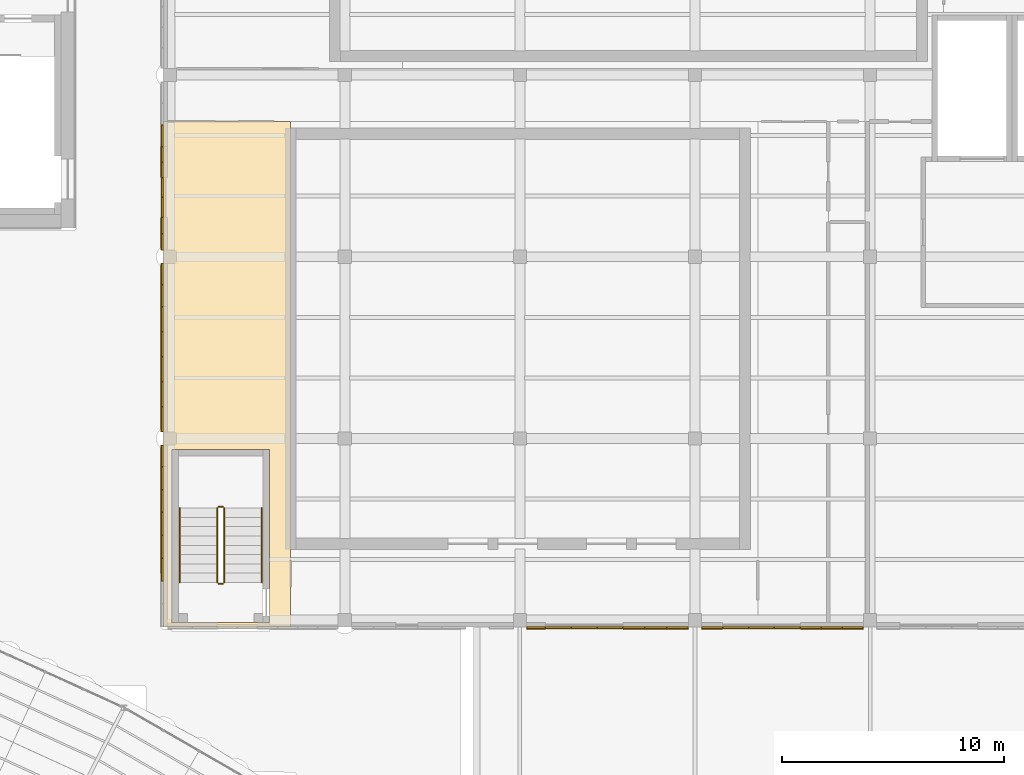
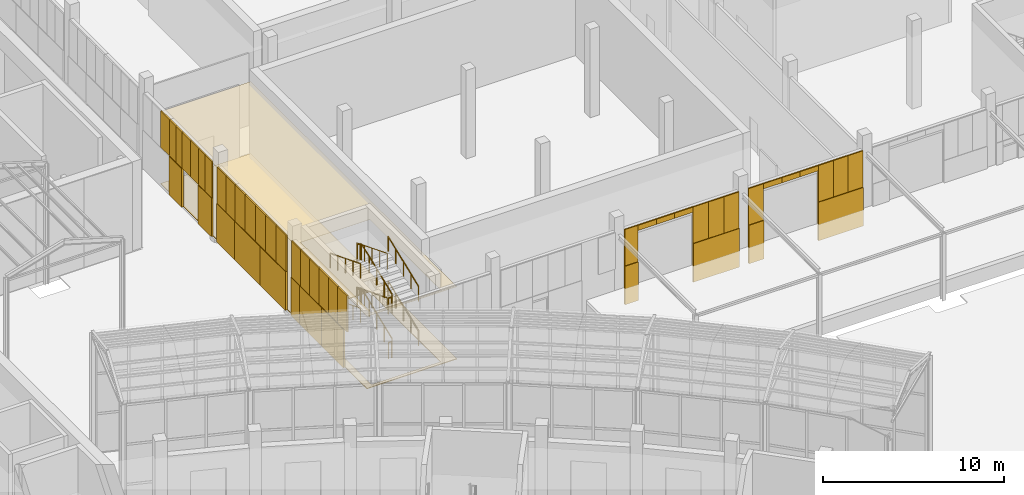
# One storey, part 147 of 155: 48 coverings, 12 railings.
"""IFC4 building model written with IfcOpenShell, lengths in metres."""

from ifc_helpers import new_model, si_unit, direction, frame, origin, origin_2d, place, context, subcontext, project, spatial, polyline, rectangle, circle, outline, extrude, material, layer, layer_set, type_object, element, save


model = new_model("IFC4")

# Units and contexts
model_context = context("Model", 3, precision=1e-05, world=origin(), true_north=direction((0.0, 1.0)))
body_context = subcontext(model_context, "Body", "Model", "MODEL_VIEW")
ifc_project = project(units=[si_unit("LENGTHUNIT", "METRE"), si_unit("AREAUNIT", "SQUARE_METRE"), si_unit("VOLUMEUNIT", "CUBIC_METRE"), si_unit("PLANEANGLEUNIT", "RADIAN"), si_unit("MASSUNIT", "GRAM", prefix="KILO")], contexts=[model_context])

# Site, building, storey
site_placement = place(None, origin())
site = spatial("IfcSite", under=ifc_project, at=site_placement, CompositionType="ELEMENT")
building_placement = place(site_placement, origin())
building = spatial("IfcBuilding", under=site, at=building_placement, Name="Lunette Opera House", CompositionType="ELEMENT")
storey_placement = place(building_placement, origin())
storey = spatial("IfcBuildingStorey", under=building, at=storey_placement, Name="L00", CompositionType="ELEMENT", Elevation=0.0)

# Coverings
ifc_material_1 = material(Name="Clinker brick", Category="masonry")
ifc_layer_1 = layer(ifc_material_1, 0.114990234375)
ifc_layer_set_1 = layer_set([ifc_layer_1], Name="Clinker brick")
covering_type_1 = type_object("IfcCoveringType", Name="CLINKER CLADDING 115", PredefinedType="CLADDING", material=ifc_layer_set_1)
covering_1_placement = place(storey_placement, frame((135.94189453125, 98.97509765625, 0.0), z_axis=(0.0, 0.0, 1.0), x_axis=(0.0, -1.0, 0.0)))
element("IfcCovering", 1, at=covering_1_placement, inside=storey, type_object=covering_type_1, Name="Clinker Cladding 115 WB L00", PredefinedType="CLADDING", context=body_context, shape_type="SweptSolid", body=[
    extrude(rectangle(XDim=1.39990234375, YDim=0.114990234375, at=origin_2d()), origin(), (0.0, 0.0, 1.0), 2.60009765625),
])
covering_2_placement = place(storey_placement, frame((135.94189453125, 95.737060546875, 0.0), z_axis=(0.0, 0.0, 1.0), x_axis=(0.0, -1.0, 0.0)))
element("IfcCovering", 2, at=covering_2_placement, inside=storey, type_object=covering_type_1, Name="Clinker Cladding 115 WB L00", PredefinedType="CLADDING", context=body_context, shape_type="SweptSolid", body=[
    extrude(rectangle(XDim=1.47509765625, YDim=0.114990234375, at=origin_2d()), origin(), (0.0, 0.0, 1.0), 2.60009765625),
])
covering_3_placement = place(storey_placement, frame((135.94189453125, 93.425048828125, 0.0), z_axis=(0.0, 0.0, 1.0), x_axis=(0.0, -1.0, 0.0)))
element("IfcCovering", 3, at=covering_3_placement, inside=storey, type_object=covering_type_1, Name="Clinker Cladding 115 WB L00", PredefinedType="CLADDING", context=body_context, shape_type="SweptSolid", body=[
    extrude(rectangle(XDim=1.949951171875, YDim=0.114990234375, at=origin_2d()), origin(), (0.0, 0.0, 1.0), 2.60009765625),
])
for number, where, z_axis, x_axis, name in (
    (4, (135.94189453125, 91.037109375, 0.0), (0.0, 0.0, 1.0), (0.0, -1.0, 0.0), "Clinker Cladding 115 WB L00"),
    (5, (135.94189453125, 88.212890625, 0.0), (0.0, 0.0, 1.0), (0.0, -1.0, 0.0), "Clinker Cladding 115 WB L00"),
):
    element("IfcCovering", number, at=place(storey_placement, frame(where, z_axis=z_axis, x_axis=x_axis)), inside=storey, type_object=covering_type_1, Name=name, PredefinedType="CLADDING", context=body_context, shape_type="SweptSolid", body=[
        extrude(rectangle(XDim=2.824951171875, YDim=0.114990234375, at=origin_2d()), origin(), (0.0, 0.0, 1.0), 2.60009765625),
    ])
covering_4_placement = place(storey_placement, frame((135.94189453125, 85.712890625, 0.0), z_axis=(0.0, 0.0, 1.0), x_axis=(0.0, -1.0, 0.0)))
element("IfcCovering", 6, at=covering_4_placement, inside=storey, type_object=covering_type_1, Name="Clinker Cladding 115 WB L00", PredefinedType="CLADDING", context=body_context, shape_type="SweptSolid", body=[
    extrude(rectangle(XDim=0.97509765625, YDim=0.114990234375, at=origin_2d()), origin(), (0.0, 0.0, 1.0), 2.60009765625),
])
for number, where, z_axis, x_axis, name in (
    (7, (135.94189453125, 84.02099609375, 0.0), (0.0, 0.0, 1.0), (0.0, -1.0, 0.0), "Clinker Cladding 115 WB L00"),
    (8, (135.94189453125, 81.612060546875, 0.0), (0.0, 0.0, 1.0), (0.0, -1.0, 0.0), "Clinker Cladding 115 WB L00"),
):
    element("IfcCovering", number, at=place(storey_placement, frame(where, z_axis=z_axis, x_axis=x_axis)), inside=storey, type_object=covering_type_1, Name=name, PredefinedType="CLADDING", context=body_context, shape_type="SweptSolid", body=[
        extrude(rectangle(XDim=2.407958984375, YDim=0.114990234375, at=origin_2d()), origin(), (0.0, 0.0, 1.0), 2.60009765625),
    ])
covering_5_placement = place(storey_placement, frame((152.824951171875, 77.94189453125, 0.0), z_axis=(0.0, 0.0, 1.0), x_axis=(1.0, 0.0, 0.0)))
element("IfcCovering", 9, at=covering_5_placement, inside=storey, type_object=covering_type_1, Name="Clinker Cladding 115 WB L00", PredefinedType="CLADDING", context=body_context, shape_type="SweptSolid", body=[
    extrude(rectangle(XDim=0.85009765625, YDim=0.114990234375, at=origin_2d()), origin(), (0.0, 0.0, 1.0), 2.60009765625),
])
covering_6_placement = place(storey_placement, frame((158.22509765625, 77.94189453125, 0.0), z_axis=(0.0, 0.0, 1.0), x_axis=(1.0, 0.0, 0.0)))
element("IfcCovering", 10, at=covering_6_placement, inside=storey, type_object=covering_type_1, Name="Clinker Cladding 115 WB L00", PredefinedType="CLADDING", context=body_context, shape_type="SweptSolid", body=[
    extrude(rectangle(XDim=2.949951171875, YDim=0.114990234375, at=origin_2d()), origin(), (0.0, 0.0, 1.0), 2.60009765625),
])
covering_7_placement = place(storey_placement, frame((160.77490234375, 77.94189453125, 0.0), z_axis=(0.0, 0.0, 1.0), x_axis=(1.0, 0.0, 0.0)))
element("IfcCovering", 11, at=covering_7_placement, inside=storey, type_object=covering_type_1, Name="Clinker Cladding 115 WB L00", PredefinedType="CLADDING", context=body_context, shape_type="SweptSolid", body=[
    extrude(rectangle(XDim=0.949951171875, YDim=0.114990234375, at=origin_2d()), origin(), (0.0, 0.0, 1.0), 2.60009765625),
])
covering_8_placement = place(storey_placement, frame((166.175048828125, 77.94189453125, 0.0), z_axis=(0.0, 0.0, 1.0), x_axis=(1.0, 0.0, 0.0)))
element("IfcCovering", 12, at=covering_8_placement, inside=storey, type_object=covering_type_1, Name="Clinker Cladding 115 WB L00", PredefinedType="CLADDING", context=body_context, shape_type="SweptSolid", body=[
    extrude(rectangle(XDim=2.85009765625, YDim=0.114990234375, at=origin_2d()), origin(), (0.0, 0.0, 1.0), 2.60009765625),
])
ifc_material_2 = material(Name="Dark grey aluminium cassette", Category="aluminium")
ifc_layer_2 = layer(ifc_material_2, 0.080078125)
ifc_layer_set_2 = layer_set([ifc_layer_2], Name="Dark grey aluminium cassette")
covering_type_2 = type_object("IfcCoveringType", Name="DARK METAL CASSETTE 80", PredefinedType="CLADDING", material=ifc_layer_set_2)
covering_9_placement = place(storey_placement, frame((135.9599609375, 100.162109375, 2.60009765625), z_axis=(0.0, 0.0, 1.0), x_axis=(0.0, -1.0, 0.0)))
element("IfcCovering", 13, at=covering_9_placement, inside=storey, type_object=covering_type_2, Name="Dark Metal Cassette 80 WK L00", PredefinedType="CLADDING", context=body_context, shape_type="SweptSolid", body=[
    extrude(rectangle(XDim=0.97509765625, YDim=0.080078125, at=origin_2d()), origin(), (0.0, 0.0, 1.0), 2.449951171875),
])
for number, where, z_axis, x_axis, name in (
    (14, (135.9599609375, 99.324951171875, 2.60009765625), (0.0, 0.0, 1.0), (0.0, -1.0, 0.0), "Dark Metal Cassette 80 WK L00"),
    (15, (135.9599609375, 98.625, 2.60009765625), (0.0, 0.0, 1.0), (0.0, -1.0, 0.0), "Dark Metal Cassette 80 WK L00"),
):
    element("IfcCovering", number, at=place(storey_placement, frame(where, z_axis=z_axis, x_axis=x_axis)), inside=storey, type_object=covering_type_2, Name=name, PredefinedType="CLADDING", context=body_context, shape_type="SweptSolid", body=[
        extrude(rectangle(XDim=0.699951171875, YDim=0.080078125, at=origin_2d()), origin(), (0.0, 0.0, 1.0), 2.449951171875),
    ])
for number, where, z_axis, x_axis, name in (
    (16, (135.9599609375, 97.824951171875, 2.60009765625), (0.0, 0.0, 1.0), (0.0, -1.0, 0.0), "Dark Metal Cassette 80 WK L00"),
    (17, (135.9599609375, 96.925048828125, 2.60009765625), (0.0, 0.0, 1.0), (0.0, -1.0, 0.0), "Dark Metal Cassette 80 WK L00"),
):
    element("IfcCovering", number, at=place(storey_placement, frame(where, z_axis=z_axis, x_axis=x_axis)), inside=storey, type_object=covering_type_2, Name=name, PredefinedType="CLADDING", context=body_context, shape_type="SweptSolid", body=[
        extrude(rectangle(XDim=0.89990234375, YDim=0.080078125, at=origin_2d()), origin(), (0.0, 0.0, 1.0), 2.449951171875),
    ])
for number, where, z_axis, x_axis, name in (
    (18, (135.9599609375, 96.10595703125, 2.60009765625), (0.0, 0.0, 1.0), (0.0, -1.0, 0.0), "Dark Metal Cassette 80 WK L00"),
    (19, (135.9599609375, 95.368896484375, 2.60009765625), (0.0, 0.0, 1.0), (0.0, -1.0, 0.0), "Dark Metal Cassette 80 WK L00"),
):
    element("IfcCovering", number, at=place(storey_placement, frame(where, z_axis=z_axis, x_axis=x_axis)), inside=storey, type_object=covering_type_2, Name=name, PredefinedType="CLADDING", context=body_context, shape_type="SweptSolid", body=[
        extrude(rectangle(XDim=0.737060546875, YDim=0.080078125, at=origin_2d()), origin(), (0.0, 0.0, 1.0), 2.449951171875),
    ])
for number, where, z_axis, x_axis, name in (
    (20, (135.9599609375, 93.9130859375, 2.60009765625), (0.0, 0.0, 1.0), (0.0, -1.0, 0.0), "Dark Metal Cassette 80 WK L00"),
    (21, (135.9599609375, 92.93798828125, 2.60009765625), (0.0, 0.0, 1.0), (0.0, -1.0, 0.0), "Dark Metal Cassette 80 WK L00"),
):
    element("IfcCovering", number, at=place(storey_placement, frame(where, z_axis=z_axis, x_axis=x_axis)), inside=storey, type_object=covering_type_2, Name=name, PredefinedType="CLADDING", context=body_context, shape_type="SweptSolid", body=[
        extrude(rectangle(XDim=0.97509765625, YDim=0.080078125, at=origin_2d()), origin(), (0.0, 0.0, 1.0), 2.449951171875),
    ])
for number, where, z_axis, x_axis, name in (
    (22, (135.9599609375, 91.885009765625, 2.60009765625), (0.0, 0.0, 1.0), (0.0, -1.0, 0.0), "Dark Metal Cassette 80 WK L00"),
    (23, (135.9599609375, 90.7548828125, 2.60009765625), (0.0, 0.0, 1.0), (0.0, -1.0, 0.0), "Dark Metal Cassette 80 WK L00"),
    (24, (135.9599609375, 89.625, 2.60009765625), (0.0, 0.0, 1.0), (0.0, -1.0, 0.0), "Dark Metal Cassette 80 WK L00"),
    (25, (135.9599609375, 88.4951171875, 2.60009765625), (0.0, 0.0, 1.0), (0.0, -1.0, 0.0), "Dark Metal Cassette 80 WK L00"),
    (26, (135.9599609375, 87.364990234375, 2.60009765625), (0.0, 0.0, 1.0), (0.0, -1.0, 0.0), "Dark Metal Cassette 80 WK L00"),
):
    element("IfcCovering", number, at=place(storey_placement, frame(where, z_axis=z_axis, x_axis=x_axis)), inside=storey, type_object=covering_type_2, Name=name, PredefinedType="CLADDING", context=body_context, shape_type="SweptSolid", body=[
        extrude(rectangle(XDim=1.1298828125, YDim=0.080078125, at=origin_2d()), origin(), (0.0, 0.0, 1.0), 2.449951171875),
    ])
covering_10_placement = place(storey_placement, frame((135.9599609375, 85.712890625, 2.60009765625), z_axis=(0.0, 0.0, 1.0), x_axis=(0.0, -1.0, 0.0)))
element("IfcCovering", 27, at=covering_10_placement, inside=storey, type_object=covering_type_2, Name="Dark Metal Cassette 80 WK L00", PredefinedType="CLADDING", context=body_context, shape_type="SweptSolid", body=[
    extrude(rectangle(XDim=0.97509765625, YDim=0.080078125, at=origin_2d()), origin(), (0.0, 0.0, 1.0), 2.449951171875),
])
for number, where, z_axis, x_axis, name in (
    (28, (135.9599609375, 84.708984375, 2.60009765625), (0.0, 0.0, 1.0), (0.0, -1.0, 0.0), "Dark Metal Cassette 80 WK L00"),
    (29, (135.9599609375, 83.677001953125, 2.60009765625), (0.0, 0.0, 1.0), (0.0, -1.0, 0.0), "Dark Metal Cassette 80 WK L00"),
    (30, (135.9599609375, 82.64501953125, 2.60009765625), (0.0, 0.0, 1.0), (0.0, -1.0, 0.0), "Dark Metal Cassette 80 WK L00"),
    (31, (135.9599609375, 81.612060546875, 2.60009765625), (0.0, 0.0, 1.0), (0.0, -1.0, 0.0), "Dark Metal Cassette 80 WK L00"),
    (32, (135.9599609375, 80.580078125, 2.60009765625), (0.0, 0.0, 1.0), (0.0, -1.0, 0.0), "Dark Metal Cassette 80 WK L00"),
):
    element("IfcCovering", number, at=place(storey_placement, frame(where, z_axis=z_axis, x_axis=x_axis)), inside=storey, type_object=covering_type_2, Name=name, PredefinedType="CLADDING", context=body_context, shape_type="SweptSolid", body=[
        extrude(rectangle(XDim=1.031982421875, YDim=0.080078125, at=origin_2d()), origin(), (0.0, 0.0, 1.0), 2.449951171875),
    ])
covering_11_placement = place(storey_placement, frame((152.824951171875, 77.9599609375, 2.60009765625), z_axis=(0.0, 0.0, 1.0), x_axis=(1.0, 0.0, 0.0)))
element("IfcCovering", 33, at=covering_11_placement, inside=storey, type_object=covering_type_2, Name="Dark Metal Cassette 80 WK L00", PredefinedType="CLADDING", context=body_context, shape_type="SweptSolid", body=[
    extrude(rectangle(XDim=0.85009765625, YDim=0.080078125, at=origin_2d()), origin(), (0.0, 0.0, 1.0), 2.449951171875),
])
for number, where, z_axis, x_axis, name in (
    (34, (153.8330078125, 77.9599609375, 4.699951171875), (0.0, 0.0, 1.0), (1.0, 0.0, 0.0), "Dark Metal Cassette 80 WK L00"),
    (35, (155.0, 77.9599609375, 4.699951171875), (0.0, 0.0, 1.0), (1.0, 0.0, 0.0), "Dark Metal Cassette 80 WK L00"),
    (36, (156.1669921875, 77.9599609375, 4.699951171875), (0.0, 0.0, 1.0), (1.0, 0.0, 0.0), "Dark Metal Cassette 80 WK L00"),
):
    element("IfcCovering", number, at=place(storey_placement, frame(where, z_axis=z_axis, x_axis=x_axis)), inside=storey, type_object=covering_type_2, Name=name, PredefinedType="CLADDING", context=body_context, shape_type="SweptSolid", body=[
        extrude(rectangle(XDim=1.1669921875, YDim=0.080078125, at=origin_2d()), origin(), (0.0, 0.0, 1.0), 0.35009765625),
    ])
for number, where, z_axis, x_axis, name in (
    (37, (157.241943359375, 77.9599609375, 2.60009765625), (0.0, 0.0, 1.0), (1.0, 0.0, 0.0), "Dark Metal Cassette 80 WK L00"),
    (38, (158.22509765625, 77.9599609375, 2.60009765625), (0.0, 0.0, 1.0), (1.0, 0.0, 0.0), "Dark Metal Cassette 80 WK L00"),
    (39, (159.2080078125, 77.9599609375, 2.60009765625), (0.0, 0.0, 1.0), (1.0, 0.0, 0.0), "Dark Metal Cassette 80 WK L00"),
):
    element("IfcCovering", number, at=place(storey_placement, frame(where, z_axis=z_axis, x_axis=x_axis)), inside=storey, type_object=covering_type_2, Name=name, PredefinedType="CLADDING", context=body_context, shape_type="SweptSolid", body=[
        extrude(rectangle(XDim=0.98291015625, YDim=0.080078125, at=origin_2d()), origin(), (0.0, 0.0, 1.0), 2.449951171875),
    ])
covering_12_placement = place(storey_placement, frame((160.77490234375, 77.9599609375, 2.60009765625), z_axis=(0.0, 0.0, 1.0), x_axis=(1.0, 0.0, 0.0)))
element("IfcCovering", 40, at=covering_12_placement, inside=storey, type_object=covering_type_2, Name="Dark Metal Cassette 80 WK L00", PredefinedType="CLADDING", context=body_context, shape_type="SweptSolid", body=[
    extrude(rectangle(XDim=0.949951171875, YDim=0.080078125, at=origin_2d()), origin(), (0.0, 0.0, 1.0), 2.449951171875),
])
for number, where, z_axis, x_axis, name in (
    (41, (161.8330078125, 77.9599609375, 4.699951171875), (0.0, 0.0, 1.0), (1.0, 0.0, 0.0), "Dark Metal Cassette 80 WK L00"),
    (42, (163.0, 77.9599609375, 4.699951171875), (0.0, 0.0, 1.0), (1.0, 0.0, 0.0), "Dark Metal Cassette 80 WK L00"),
    (43, (164.1669921875, 77.9599609375, 4.699951171875), (0.0, 0.0, 1.0), (1.0, 0.0, 0.0), "Dark Metal Cassette 80 WK L00"),
):
    element("IfcCovering", number, at=place(storey_placement, frame(where, z_axis=z_axis, x_axis=x_axis)), inside=storey, type_object=covering_type_2, Name=name, PredefinedType="CLADDING", context=body_context, shape_type="SweptSolid", body=[
        extrude(rectangle(XDim=1.1669921875, YDim=0.080078125, at=origin_2d()), origin(), (0.0, 0.0, 1.0), 0.35009765625),
    ])
for number, where, z_axis, x_axis, name in (
    (44, (165.22509765625, 77.9599609375, 2.60009765625), (0.0, 0.0, 1.0), (1.0, 0.0, 0.0), "Dark Metal Cassette 80 WK L00"),
    (45, (166.175048828125, 77.9599609375, 2.60009765625), (0.0, 0.0, 1.0), (1.0, 0.0, 0.0), "Dark Metal Cassette 80 WK L00"),
    (46, (167.125, 77.9599609375, 2.60009765625), (0.0, 0.0, 1.0), (1.0, 0.0, 0.0), "Dark Metal Cassette 80 WK L00"),
):
    element("IfcCovering", number, at=place(storey_placement, frame(where, z_axis=z_axis, x_axis=x_axis)), inside=storey, type_object=covering_type_2, Name=name, PredefinedType="CLADDING", context=body_context, shape_type="SweptSolid", body=[
        extrude(rectangle(XDim=0.949951171875, YDim=0.080078125, at=origin_2d()), origin(), (0.0, 0.0, 1.0), 2.449951171875),
    ])

# Railings
ifc_material_3 = material(Name="Steel S355", Category="steel")
railing_type_1 = type_object("IfcRailingType", Name="STAIR GUARD 1100", PredefinedType="GUARDRAIL", material=ifc_material_3)
railing_1_placement = place(storey_placement, frame((138.75, 80.0, 0.166748046875)))
element("IfcRailing", 47, at=railing_1_placement, inside=storey, type_object=railing_type_1, Name="L00 ST18 stair guard 1", PredefinedType="GUARDRAIL", context=body_context, shape_type="SweptSolid", body=[
    extrude(circle(Radius=0.02392578125, at=origin_2d()), frame((0.0, 0.0, 1.076171875), z_axis=(0.0, 0.929502471486, 0.368815882931), x_axis=(-1.0, 0.0, 0.0)), (0.0, 0.0, 1.0), 3.614990234375),
    extrude(circle(Radius=0.02099609375, at=origin_2d()), origin(), (0.0, 0.0, 1.0), 1.052001953125),
    extrude(circle(Radius=0.02099609375, at=origin_2d()), frame((0.0, 0.840087890625, 0.333251953125)), (0.0, 0.0, 1.0), 1.052001953125),
    extrude(circle(Radius=0.02099609375, at=origin_2d()), frame((0.0, 1.68017578125, 0.66650390625)), (0.0, 0.0, 1.0), 1.052001953125),
    extrude(circle(Radius=0.02099609375, at=origin_2d()), frame((0.0, 2.52001953125, 1.0)), (0.0, 0.0, 1.0), 1.052001953125),
    extrude(circle(Radius=0.02099609375, at=origin_2d()), frame((0.0, 3.360107421875, 1.333251953125)), (0.0, 0.0, 1.0), 1.052001953125),
])
railing_2_placement = place(storey_placement, frame((138.699951171875, 83.409912109375, 1.5)))
element("IfcRailing", 48, at=railing_2_placement, inside=storey, type_object=railing_type_1, Name="L00 ST18 stair guard 2", PredefinedType="GUARDRAIL", context=body_context, shape_type="SweptSolid", body=[
    extrude(circle(Radius=0.02392578125, at=origin_2d()), frame((0.0, 0.0, 1.076171875), z_axis=(-1.0, 0.0, 0.0), x_axis=(0.0, -1.0, 0.0)), (0.0, 0.0, 1.0), 0.199951171875),
    extrude(circle(Radius=0.02099609375, at=origin_2d()), origin(), (0.0, 0.0, 1.0), 1.052001953125),
    extrude(circle(Radius=0.02099609375, at=origin_2d()), frame((-0.199951171875, 0.0, 0.0)), (0.0, 0.0, 1.0), 1.052001953125),
])
railing_3_placement = place(storey_placement, frame((138.449951171875, 83.360107421875, 1.666748046875)))
element("IfcRailing", 49, at=railing_3_placement, inside=storey, type_object=railing_type_1, Name="L00 ST18 stair guard 3", PredefinedType="GUARDRAIL", context=body_context, shape_type="SweptSolid", body=[
    extrude(circle(Radius=0.02392578125, at=origin_2d()), frame((0.0, 0.0, 1.076171875), z_axis=(0.0, -0.929502471486, 0.368815882931), x_axis=(1.0, 0.0, 0.0)), (0.0, 0.0, 1.0), 3.614990234375),
    extrude(circle(Radius=0.02099609375, at=origin_2d()), origin(), (0.0, 0.0, 1.0), 1.052001953125),
    extrude(circle(Radius=0.02099609375, at=origin_2d()), frame((0.0, -0.840087890625, 0.333251953125)), (0.0, 0.0, 1.0), 1.052001953125),
    extrude(circle(Radius=0.02099609375, at=origin_2d()), frame((0.0, -1.68017578125, 0.66650390625)), (0.0, 0.0, 1.0), 1.052001953125),
    extrude(circle(Radius=0.02099609375, at=origin_2d()), frame((0.0, -2.52001953125, 1.0)), (0.0, 0.0, 1.0), 1.052001953125),
    extrude(circle(Radius=0.02099609375, at=origin_2d()), frame((0.0, -3.360107421875, 1.333251953125)), (0.0, 0.0, 1.0), 1.052001953125),
])
railing_4_placement = place(storey_placement, frame((138.699951171875, 79.949951171875, 3.0)))
element("IfcRailing", 50, at=railing_4_placement, inside=storey, type_object=railing_type_1, Name="L00 ST18 stair guard 4", PredefinedType="GUARDRAIL", context=body_context, shape_type="SweptSolid", body=[
    extrude(circle(Radius=0.02392578125, at=origin_2d()), frame((0.0, 0.0, 1.076171875), z_axis=(-1.0, 0.0, 0.0), x_axis=(0.0, -1.0, 0.0)), (0.0, 0.0, 1.0), 0.199951171875),
    extrude(circle(Radius=0.02099609375, at=origin_2d()), origin(), (0.0, 0.0, 1.0), 1.052001953125),
    extrude(circle(Radius=0.02099609375, at=origin_2d()), frame((-0.199951171875, 0.0, 0.0)), (0.0, 0.0, 1.0), 1.052001953125),
])
railing_5_placement = place(storey_placement, frame((138.75, 80.0, 3.166748046875)))
element("IfcRailing", 51, at=railing_5_placement, inside=storey, type_object=railing_type_1, Name="L00 ST18 stair guard 5", PredefinedType="GUARDRAIL", context=body_context, shape_type="SweptSolid", body=[
    extrude(circle(Radius=0.02392578125, at=origin_2d()), frame((0.0, 0.0, 1.076171875), z_axis=(0.0, 0.929502471486, 0.368815882931), x_axis=(-1.0, 0.0, 0.0)), (0.0, 0.0, 1.0), 3.614990234375),
    extrude(circle(Radius=0.02099609375, at=origin_2d()), origin(), (0.0, 0.0, 1.0), 1.052001953125),
    extrude(circle(Radius=0.02099609375, at=origin_2d()), frame((0.0, 0.840087890625, 0.333251953125)), (0.0, 0.0, 1.0), 1.052001953125),
    extrude(circle(Radius=0.02099609375, at=origin_2d()), frame((0.0, 1.68017578125, 0.66650390625)), (0.0, 0.0, 1.0), 1.052001953125),
    extrude(circle(Radius=0.02099609375, at=origin_2d()), frame((0.0, 2.52001953125, 1.0)), (0.0, 0.0, 1.0), 1.052001953125),
    extrude(circle(Radius=0.02099609375, at=origin_2d()), frame((0.0, 3.360107421875, 1.333251953125)), (0.0, 0.0, 1.0), 1.052001953125),
])
railing_6_placement = place(storey_placement, frame((138.699951171875, 83.409912109375, 4.5)))
element("IfcRailing", 52, at=railing_6_placement, inside=storey, type_object=railing_type_1, Name="L00 ST18 stair guard 6", PredefinedType="GUARDRAIL", context=body_context, shape_type="SweptSolid", body=[
    extrude(circle(Radius=0.02392578125, at=origin_2d()), frame((0.0, 0.0, 1.076171875), z_axis=(-1.0, 0.0, 0.0), x_axis=(0.0, -1.0, 0.0)), (0.0, 0.0, 1.0), 0.199951171875),
    extrude(circle(Radius=0.02099609375, at=origin_2d()), origin(), (0.0, 0.0, 1.0), 1.052001953125),
    extrude(circle(Radius=0.02099609375, at=origin_2d()), frame((-0.199951171875, 0.0, 0.0)), (0.0, 0.0, 1.0), 1.052001953125),
])
railing_7_placement = place(storey_placement, frame((138.449951171875, 83.360107421875, 4.666748046875)))
element("IfcRailing", 53, at=railing_7_placement, inside=storey, type_object=railing_type_1, Name="L00 ST18 stair guard 7", PredefinedType="GUARDRAIL", context=body_context, shape_type="SweptSolid", body=[
    extrude(circle(Radius=0.02392578125, at=origin_2d()), frame((0.0, 0.0, 1.076171875), z_axis=(0.0, -0.929502471486, 0.368815882931), x_axis=(1.0, 0.0, 0.0)), (0.0, 0.0, 1.0), 3.614990234375),
    extrude(circle(Radius=0.02099609375, at=origin_2d()), origin(), (0.0, 0.0, 1.0), 1.052001953125),
    extrude(circle(Radius=0.02099609375, at=origin_2d()), frame((0.0, -0.840087890625, 0.333251953125)), (0.0, 0.0, 1.0), 1.052001953125),
    extrude(circle(Radius=0.02099609375, at=origin_2d()), frame((0.0, -1.68017578125, 0.66650390625)), (0.0, 0.0, 1.0), 1.052001953125),
    extrude(circle(Radius=0.02099609375, at=origin_2d()), frame((0.0, -2.52001953125, 1.0)), (0.0, 0.0, 1.0), 1.052001953125),
    extrude(circle(Radius=0.02099609375, at=origin_2d()), frame((0.0, -3.360107421875, 1.333251953125)), (0.0, 0.0, 1.0), 1.052001953125),
])
railing_8_placement = place(storey_placement, frame((138.699951171875, 79.949951171875, 0.0)))
element("IfcRailing", 54, at=railing_8_placement, inside=storey, type_object=railing_type_1, Name="L00 ST18 stair guard 8", PredefinedType="GUARDRAIL", context=body_context, shape_type="SweptSolid", body=[
    extrude(circle(Radius=0.02392578125, at=origin_2d()), frame((0.0, 0.0, 1.076171875), z_axis=(-1.0, 0.0, 0.0), x_axis=(0.0, -1.0, 0.0)), (0.0, 0.0, 1.0), 0.199951171875),
    extrude(circle(Radius=0.02099609375, at=origin_2d()), origin(), (0.0, 0.0, 1.0), 1.052001953125),
    extrude(circle(Radius=0.02099609375, at=origin_2d()), frame((-0.199951171875, 0.0, 0.0)), (0.0, 0.0, 1.0), 1.052001953125),
])
ifc_material_4 = material(Name="Steel S355", Category="steel")
railing_type_2 = type_object("IfcRailingType", Name="STAIR HANDRAIL 1000", PredefinedType="HANDRAIL", material=ifc_material_4)
railing_9_placement = place(storey_placement, frame((140.449951171875, 80.0, 0.166748046875)))
element("IfcRailing", 55, at=railing_9_placement, inside=storey, type_object=railing_type_2, Name="L00 ST18 stair handrail 1", PredefinedType="HANDRAIL", context=body_context, shape_type="SweptSolid", body=[
    extrude(circle(Radius=0.02392578125, at=origin_2d()), frame((0.0, 0.0, 0.97607421875), z_axis=(0.0, 0.929502471486, 0.368815882931), x_axis=(-1.0, 0.0, 0.0)), (0.0, 0.0, 1.0), 3.614990234375),
    extrude(circle(Radius=0.02099609375, at=origin_2d()), origin(), (0.0, 0.0, 1.0), 0.951904296875),
    extrude(circle(Radius=0.02099609375, at=origin_2d()), frame((0.0, 0.840087890625, 0.333251953125)), (0.0, 0.0, 1.0), 0.951904296875),
    extrude(circle(Radius=0.02099609375, at=origin_2d()), frame((0.0, 1.68017578125, 0.66650390625)), (0.0, 0.0, 1.0), 0.951904296875),
    extrude(circle(Radius=0.02099609375, at=origin_2d()), frame((0.0, 2.52001953125, 1.0)), (0.0, 0.0, 1.0), 0.951904296875),
    extrude(circle(Radius=0.02099609375, at=origin_2d()), frame((0.0, 3.360107421875, 1.333251953125)), (0.0, 0.0, 1.0), 0.951904296875),
])
railing_10_placement = place(storey_placement, frame((136.75, 83.360107421875, 1.666748046875)))
element("IfcRailing", 56, at=railing_10_placement, inside=storey, type_object=railing_type_2, Name="L00 ST18 stair handrail 2", PredefinedType="HANDRAIL", context=body_context, shape_type="SweptSolid", body=[
    extrude(circle(Radius=0.02392578125, at=origin_2d()), frame((0.0, 0.0, 0.97607421875), z_axis=(0.0, -0.929502471486, 0.368815882931), x_axis=(1.0, 0.0, 0.0)), (0.0, 0.0, 1.0), 3.614990234375),
    extrude(circle(Radius=0.02099609375, at=origin_2d()), origin(), (0.0, 0.0, 1.0), 0.951904296875),
    extrude(circle(Radius=0.02099609375, at=origin_2d()), frame((0.0, -0.840087890625, 0.333251953125)), (0.0, 0.0, 1.0), 0.951904296875),
    extrude(circle(Radius=0.02099609375, at=origin_2d()), frame((0.0, -1.68017578125, 0.66650390625)), (0.0, 0.0, 1.0), 0.951904296875),
    extrude(circle(Radius=0.02099609375, at=origin_2d()), frame((0.0, -2.52001953125, 1.0)), (0.0, 0.0, 1.0), 0.951904296875),
    extrude(circle(Radius=0.02099609375, at=origin_2d()), frame((0.0, -3.360107421875, 1.333251953125)), (0.0, 0.0, 1.0), 0.951904296875),
])
railing_11_placement = place(storey_placement, frame((140.449951171875, 80.0, 3.166748046875)))
element("IfcRailing", 57, at=railing_11_placement, inside=storey, type_object=railing_type_2, Name="L00 ST18 stair handrail 3", PredefinedType="HANDRAIL", context=body_context, shape_type="SweptSolid", body=[
    extrude(circle(Radius=0.02392578125, at=origin_2d()), frame((0.0, 0.0, 0.97607421875), z_axis=(0.0, 0.929502471486, 0.368815882931), x_axis=(-1.0, 0.0, 0.0)), (0.0, 0.0, 1.0), 3.614990234375),
    extrude(circle(Radius=0.02099609375, at=origin_2d()), origin(), (0.0, 0.0, 1.0), 0.951904296875),
    extrude(circle(Radius=0.02099609375, at=origin_2d()), frame((0.0, 0.840087890625, 0.333251953125)), (0.0, 0.0, 1.0), 0.951904296875),
    extrude(circle(Radius=0.02099609375, at=origin_2d()), frame((0.0, 1.68017578125, 0.66650390625)), (0.0, 0.0, 1.0), 0.951904296875),
    extrude(circle(Radius=0.02099609375, at=origin_2d()), frame((0.0, 2.52001953125, 1.0)), (0.0, 0.0, 1.0), 0.951904296875),
    extrude(circle(Radius=0.02099609375, at=origin_2d()), frame((0.0, 3.360107421875, 1.333251953125)), (0.0, 0.0, 1.0), 0.951904296875),
])
railing_12_placement = place(storey_placement, frame((136.75, 83.360107421875, 4.666748046875)))
element("IfcRailing", 58, at=railing_12_placement, inside=storey, type_object=railing_type_2, Name="L00 ST18 stair handrail 4", PredefinedType="HANDRAIL", context=body_context, shape_type="SweptSolid", body=[
    extrude(circle(Radius=0.02392578125, at=origin_2d()), frame((0.0, 0.0, 0.97607421875), z_axis=(0.0, -0.929502471486, 0.368815882931), x_axis=(1.0, 0.0, 0.0)), (0.0, 0.0, 1.0), 3.614990234375),
    extrude(circle(Radius=0.02099609375, at=origin_2d()), origin(), (0.0, 0.0, 1.0), 0.951904296875),
    extrude(circle(Radius=0.02099609375, at=origin_2d()), frame((0.0, -0.840087890625, 0.333251953125)), (0.0, 0.0, 1.0), 0.951904296875),
    extrude(circle(Radius=0.02099609375, at=origin_2d()), frame((0.0, -1.68017578125, 0.66650390625)), (0.0, 0.0, 1.0), 0.951904296875),
    extrude(circle(Radius=0.02099609375, at=origin_2d()), frame((0.0, -2.52001953125, 1.0)), (0.0, 0.0, 1.0), 0.951904296875),
    extrude(circle(Radius=0.02099609375, at=origin_2d()), frame((0.0, -3.360107421875, 1.333251953125)), (0.0, 0.0, 1.0), 0.951904296875),
])

# Coverings
ifc_material_5 = material(Name="Mineral fibre board")
ifc_layer_3 = layer(ifc_material_5, 0.014892578125)
ifc_layer_set_3 = layer_set([ifc_layer_3], Name="Mineral fibre board")
covering_type_3 = type_object("IfcCoveringType", Name="SUSPENDED ACOUSTIC CEILING 15", PredefinedType="CEILING", material=ifc_layer_set_3)
covering_13_placement = place(storey_placement, frame((0.0, 0.0, 4.885009765625)))
element("IfcCovering", 59, at=covering_13_placement, inside=storey, type_object=covering_type_3, Name="Ceiling Dye and Laundry", PredefinedType="CEILING", context=body_context, shape_type="SweptSolid", body=[
    extrude(outline(polyline([(141.7451171875, 100.800048828125), (141.7451171875, 78.0), (136.0, 78.0), (136.0, 100.800048828125), (141.7451171875, 100.800048828125)]), holes=[polyline([(140.800048828125, 86.0), (136.39990234375, 86.0), (136.39990234375, 78.199951171875), (140.800048828125, 78.199951171875), (140.800048828125, 86.0)])]), origin(), (0.0, 0.0, 1.0), 0.014892578125),
])
ifc_material_6 = material(Name="Timber", Category="wood")
ifc_layer_4 = layer(ifc_material_6, 0.0400390625)
ifc_layer_set_4 = layer_set([ifc_layer_4], Name="Timber")
covering_type_4 = type_object("IfcCoveringType", Name="TIMBER FLOOR FINISH 40", PredefinedType="FLOORING", material=ifc_layer_set_4)
covering_14_placement = place(storey_placement, origin())
element("IfcCovering", 60, at=covering_14_placement, inside=storey, type_object=covering_type_4, Name="Floor finish Dye and Laundry", PredefinedType="FLOORING", context=body_context, shape_type="SweptSolid", body=[
    extrude(outline(polyline([(141.7451171875, 100.800048828125), (141.7451171875, 78.0), (136.0, 78.0), (136.0, 100.800048828125), (141.7451171875, 100.800048828125)]), holes=[polyline([(140.800048828125, 86.0), (136.39990234375, 86.0), (136.39990234375, 78.199951171875), (140.800048828125, 78.199951171875), (140.800048828125, 86.0)])]), origin(), (0.0, 0.0, 1.0), 0.0400390625),
])

save(model, "model.ifc")
